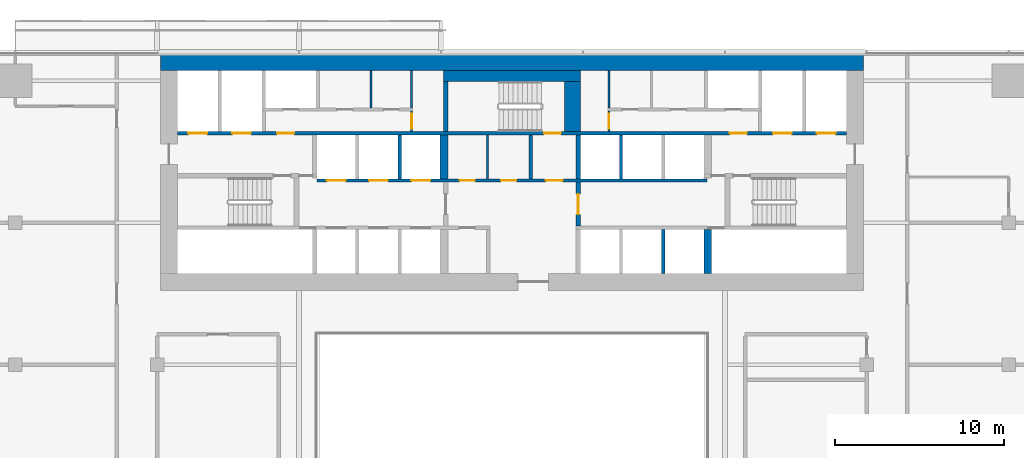
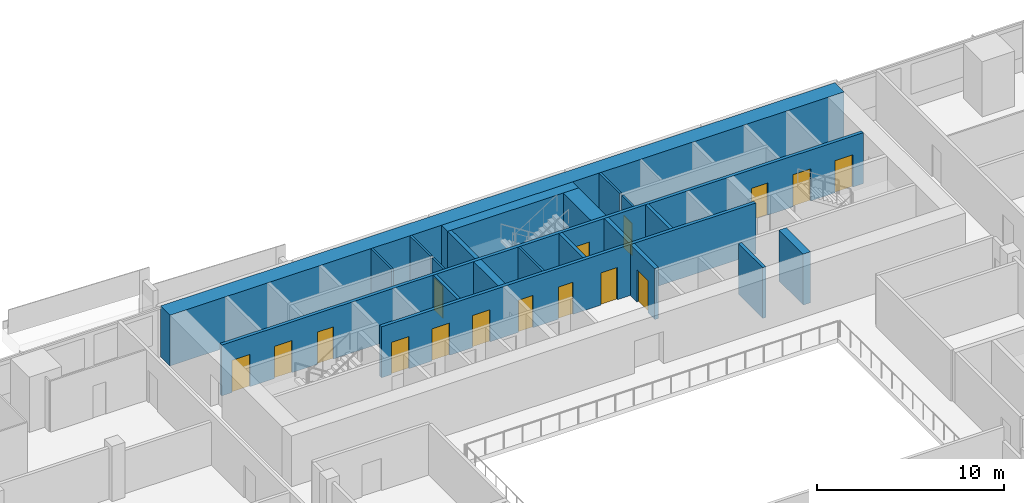
# One storey, part 20 of 26: 20 walls, 16 doors, 16 openings.
"""IFC4 building model written with IfcOpenShell, lengths in metres."""

from ifc_helpers import new_model, si_unit, direction, frame, frame_2d, origin, place, context, subcontext, project, spatial, rectangle, extrude, material, layer, layer_set, type_object, element, fill, save


model = new_model("IFC4")

# Units and contexts
model_context = context("Model", 3, precision=1e-05, world=origin(), true_north=direction((0.0, 1.0)))
body_context = subcontext(model_context, "Body", "Model", "MODEL_VIEW")
ifc_project = project(units=[si_unit("LENGTHUNIT", "METRE"), si_unit("AREAUNIT", "SQUARE_METRE"), si_unit("VOLUMEUNIT", "CUBIC_METRE"), si_unit("PLANEANGLEUNIT", "RADIAN"), si_unit("MASSUNIT", "GRAM", prefix="KILO")], contexts=[model_context])

# Site, building, storey
site_placement = place(None, origin())
site = spatial("IfcSite", under=ifc_project, at=site_placement, CompositionType="ELEMENT")
building_placement = place(site_placement, origin())
building = spatial("IfcBuilding", under=site, at=building_placement, Name="Saffron Gate Tower", CompositionType="ELEMENT")
storey_placement = place(building_placement, frame((0.0, 0.0, 102.449951171875)))
storey = spatial("IfcBuildingStorey", under=building, at=storey_placement, Name="L23", CompositionType="ELEMENT", Elevation=102.449951171875)

# Walls
ifc_material_1 = material(Name="Gypsum board partition on steel studs", Category="steel")
ifc_layer_1 = layer(ifc_material_1, 0.199951171875)
ifc_layer_set_1 = layer_set([ifc_layer_1], Name="CW10 Core partition 200")
wall_type_1 = type_object("IfcWallType", Name="CW10 Core partition 200", PredefinedType="PARTITIONING", material=ifc_layer_set_1)
wall_1_placement = place(storey_placement, frame((88.699951171875, 68.0, 0.0), z_axis=(0.0, 0.0, 1.0), x_axis=(0.0, 1.0, 0.0)))
element("IfcWall", 1, at=wall_1_placement, inside=storey, type_object=wall_type_1, Name="Wall CW10-L23-25", PredefinedType="PARTITIONING", context=body_context, shape_type="SweptSolid", body=[
    extrude(rectangle(XDim=2.60009765625, YDim=0.199951171875, at=frame_2d((1.300048828125, 0.0))), origin(), (0.0, 0.0, 1.0), 3.320068359375),
])
ifc_material_2 = material(Name="Concrete C70", Category="concrete")
ifc_layer_2 = layer(ifc_material_2, 1.0)
ifc_layer_set_2 = layer_set([ifc_layer_2], Name="CW12 RC core wall 1000 C70")
wall_type_2 = type_object("IfcWallType", Name="CW12 RC core wall 1000 C70", PredefinedType="SOLIDWALL", material=ifc_layer_set_2)
wall_2_placement = place(storey_placement, frame((66.800048828125, 74.89990234375, 0.0), z_axis=(0.0, 0.0, 1.0), x_axis=(1.0, 0.0, 0.0)))
element("IfcWall", 2, at=wall_2_placement, inside=storey, type_object=wall_type_2, Name="Wall CW12-L23-2", PredefinedType="SOLIDWALL", context=body_context, shape_type="SweptSolid", body=[
    extrude(rectangle(XDim=41.599853515625, YDim=1.0, at=frame_2d((20.7998046875, 0.0))), origin(), (0.0, 0.0, 1.0), 3.320068359375),
])

# Wall, opening, door
ifc_layer_3 = layer(ifc_material_2, 0.25)
ifc_layer_set_3 = layer_set([ifc_layer_3], Name="CW2 RC core wall 250 C70")
wall_type_3 = type_object("IfcWallType", Name="CW2 RC core wall 250 C70", PredefinedType="SOLIDWALL", material=ifc_layer_set_3)
wall_3_placement = place(storey_placement, frame((91.52490234375, 65.199951171875, 0.0), z_axis=(0.0, 0.0, 1.0), x_axis=(0.0, 1.0, 0.0)))
wall_3 = element("IfcWall", 3, at=wall_3_placement, inside=storey, type_object=wall_type_3, Name="Wall CW2-L23-18", PredefinedType="SOLIDWALL", context=body_context, shape_type="SweptSolid", body=[
    extrude(rectangle(XDim=2.60009765625, YDim=0.25, at=frame_2d((1.300048828125, 0.0))), origin(), (0.0, 0.0, 1.0), 3.320068359375),
])
opening_1_placement = place(wall_3_placement, frame((0.699951171875, 0.0, 0.0)))
opening_1 = element("IfcOpeningElement", 4, at=opening_1_placement, cuts=wall_3, Name="Opening CR-01", PredefinedType="OPENING", context=body_context, shape_type="SweptSolid", body=[
    extrude(rectangle(XDim=1.199951171875, YDim=2.10009765625, at=frame_2d((0.60009765625, 1.050048828125))), frame((0.0, 0.135009765625, 0.0), z_axis=(0.0, -1.0, 0.0), x_axis=(1.0, 0.0, 0.0)), (0.0, 0.0, 1.0), 0.27001953125),
])
ifc_material_3 = material(Name="Steel fire door set", Category="steel")
door_type_1 = type_object("IfcDoorType", Name="CD3 Lobby door 1200x2100 EI 120", OperationType="NOTDEFINED", PredefinedType="DOOR", material=ifc_material_3)
door_1_placement = place(opening_1_placement, origin())
door_1 = element("IfcDoor", 5, at=door_1_placement, inside=storey, type_object=door_type_1, Name="DOOR CR-01", OperationType="SINGLE_SWING_RIGHT", OverallHeight=2.10009765625, OverallWidth=1.199951171875, PredefinedType="DOOR", context=body_context, shape_type="SweptSolid", body=[
    extrude(rectangle(XDim=1.199951171875, YDim=2.10009765625, at=frame_2d((0.60009765625, 1.050048828125))), frame((0.0, 0.02490234375, 0.0), z_axis=(0.0, -1.0, 0.0), x_axis=(1.0, 0.0, 0.0)), (0.0, 0.0, 1.0), 0.050048828125),
])
fill(opening_1, door_1)

# Walls
wall_4_placement = place(storey_placement, frame((91.52490234375, 68.0, 0.0), z_axis=(0.0, 0.0, 1.0), x_axis=(0.0, 1.0, 0.0)))
element("IfcWall", 6, at=wall_4_placement, inside=storey, type_object=wall_type_3, Name="Wall CW2-L23-26", PredefinedType="SOLIDWALL", context=body_context, shape_type="SweptSolid", body=[
    extrude(rectangle(XDim=2.60009765625, YDim=0.25, at=frame_2d((1.300048828125, 0.0))), origin(), (0.0, 0.0, 1.0), 3.320068359375),
])
wall_5_placement = place(storey_placement, frame((83.675048828125, 70.800048828125, 0.0), z_axis=(0.0, 0.0, 1.0), x_axis=(0.0, 1.0, 0.0)))
element("IfcWall", 7, at=wall_5_placement, inside=storey, type_object=wall_type_3, Name="Wall CW2-L23-38", PredefinedType="SOLIDWALL", context=body_context, shape_type="SweptSolid", body=[
    extrude(rectangle(XDim=2.949951171875, YDim=0.25, at=frame_2d((1.47509765625, 0.0))), origin(), (0.0, 0.0, 1.0), 3.320068359375),
])
ifc_layer_4 = layer(ifc_material_2, 0.199951171875)
ifc_layer_set_4 = layer_set([ifc_layer_4], Name="CW3 RC core wall 200 C70")
wall_type_4 = type_object("IfcWallType", Name="CW3 RC core wall 200 C70", PredefinedType="SOLIDWALL", material=ifc_layer_set_4)
wall_6_placement = place(storey_placement, frame((96.550048828125, 62.39990234375, 0.0), z_axis=(0.0, 0.0, 1.0), x_axis=(0.0, 1.0, 0.0)))
element("IfcWall", 8, at=wall_6_placement, inside=storey, type_object=wall_type_4, Name="Wall CW3-L23-12", PredefinedType="SOLIDWALL", context=body_context, shape_type="SweptSolid", body=[
    extrude(rectangle(XDim=2.60009765625, YDim=0.199951171875, at=frame_2d((1.300048828125, 0.0))), origin(), (0.0, 0.0, 1.0), 3.320068359375),
])

# Wall, openings, doors
wall_7_placement = place(storey_placement, frame((76.050048828125, 67.89990234375, 0.0), z_axis=(0.0, 0.0, 1.0), x_axis=(1.0, 0.0, 0.0)))
wall_7 = element("IfcWall", 9, at=wall_7_placement, inside=storey, type_object=wall_type_4, Name="Wall CW3-L23-20", PredefinedType="SOLIDWALL", context=body_context, shape_type="SweptSolid", body=[
    extrude(rectangle(XDim=23.099853515625, YDim=0.199951171875, at=frame_2d((11.5498046875, 0.0))), origin(), (0.0, 0.0, 1.0), 3.320068359375),
])
opening_2_placement = place(wall_7_placement, frame((0.60009765625, 0.0, 0.0)))
opening_2 = element("IfcOpeningElement", 10, at=opening_2_placement, cuts=wall_7, Name="Opening LD-LR4", PredefinedType="OPENING", context=body_context, shape_type="SweptSolid", body=[
    extrude(rectangle(XDim=1.10009765625, YDim=2.10009765625, at=frame_2d((0.550048828125, 1.050048828125))), frame((0.0, 0.10986328125, 0.0), z_axis=(0.0, -1.0, 0.0), x_axis=(1.0, 0.0, 0.0)), (0.0, 0.0, 1.0), 0.219970703125),
])
opening_3_placement = place(wall_7_placement, frame((3.10009765625, 0.0, 0.0)))
opening_3 = element("IfcOpeningElement", 11, at=opening_3_placement, cuts=wall_7, Name="Opening LD-LR5", PredefinedType="OPENING", context=body_context, shape_type="SweptSolid", body=[
    extrude(rectangle(XDim=1.10009765625, YDim=2.10009765625, at=frame_2d((0.550048828125, 1.050048828125))), frame((0.0, 0.10986328125, 0.0), z_axis=(0.0, -1.0, 0.0), x_axis=(1.0, 0.0, 0.0)), (0.0, 0.0, 1.0), 0.219970703125),
])
opening_4_placement = place(wall_7_placement, frame((5.60009765625, 0.0, 0.0)))
opening_4 = element("IfcOpeningElement", 12, at=opening_4_placement, cuts=wall_7, Name="Opening LD-LR6", PredefinedType="OPENING", context=body_context, shape_type="SweptSolid", body=[
    extrude(rectangle(XDim=1.10009765625, YDim=2.10009765625, at=frame_2d((0.550048828125, 1.050048828125))), frame((0.0, 0.10986328125, 0.0), z_axis=(0.0, -1.0, 0.0), x_axis=(1.0, 0.0, 0.0)), (0.0, 0.0, 1.0), 0.219970703125),
])
opening_5_placement = place(wall_7_placement, frame((8.449951171875, 0.0, 0.0)))
opening_5 = element("IfcOpeningElement", 13, at=opening_5_placement, cuts=wall_7, Name="Opening CR-67", PredefinedType="OPENING", context=body_context, shape_type="SweptSolid", body=[
    extrude(rectangle(XDim=0.89990234375, YDim=2.10009765625, at=frame_2d((0.449951171875, 1.050048828125))), frame((0.0, 0.10986328125, 0.0), z_axis=(0.0, -1.0, 0.0), x_axis=(1.0, 0.0, 0.0)), (0.0, 0.0, 1.0), 0.219970703125),
])
opening_6_placement = place(wall_7_placement, frame((10.909912109375, 0.0, 0.0)))
opening_6 = element("IfcOpeningElement", 14, at=opening_6_placement, cuts=wall_7, Name="Opening CR-68", PredefinedType="OPENING", context=body_context, shape_type="SweptSolid", body=[
    extrude(rectangle(XDim=0.89990234375, YDim=2.10009765625, at=frame_2d((0.449951171875, 1.050048828125))), frame((0.0, 0.10986328125, 0.0), z_axis=(0.0, -1.0, 0.0), x_axis=(1.0, 0.0, 0.0)), (0.0, 0.0, 1.0), 0.219970703125),
])
opening_7_placement = place(wall_7_placement, frame((13.550048828125, 0.0, 0.0)))
opening_7 = element("IfcOpeningElement", 15, at=opening_7_placement, cuts=wall_7, Name="Opening CR-02", PredefinedType="OPENING", context=body_context, shape_type="SweptSolid", body=[
    extrude(rectangle(XDim=1.0, YDim=2.10009765625, at=frame_2d((0.5, 1.050048828125))), frame((0.0, 0.10986328125, 0.0), z_axis=(0.0, -1.0, 0.0), x_axis=(1.0, 0.0, 0.0)), (0.0, 0.0, 1.0), 0.219970703125),
])
door_type_2 = type_object("IfcDoorType", Name="CD4 Lobby door 1000x2100 EI 120", OperationType="NOTDEFINED", PredefinedType="DOOR", material=ifc_material_3)
door_2_placement = place(opening_7_placement, origin())
door_2 = element("IfcDoor", 16, at=door_2_placement, inside=storey, type_object=door_type_2, Name="DOOR CR-02", OperationType="SINGLE_SWING_LEFT", OverallHeight=2.10009765625, OverallWidth=1.0, PredefinedType="DOOR", context=body_context, shape_type="SweptSolid", body=[
    extrude(rectangle(XDim=1.0, YDim=2.10009765625, at=frame_2d((0.5, 1.050048828125))), frame((0.0, 0.02490234375, 0.0), z_axis=(0.0, -1.0, 0.0), x_axis=(1.0, 0.0, 0.0)), (0.0, 0.0, 1.0), 0.050048828125),
])
fill(opening_7, door_2)
door_type_3 = type_object("IfcDoorType", Name="CD9 Room door 900x2100 EI 60", OperationType="NOTDEFINED", PredefinedType="DOOR", material=ifc_material_3)
door_3_placement = place(opening_5_placement, origin())
door_3 = element("IfcDoor", 17, at=door_3_placement, inside=storey, type_object=door_type_3, Name="DOOR CR-67", OperationType="SINGLE_SWING_LEFT", OverallHeight=2.10009765625, OverallWidth=0.89990234375, PredefinedType="DOOR", context=body_context, shape_type="SweptSolid", body=[
    extrude(rectangle(XDim=0.89990234375, YDim=2.10009765625, at=frame_2d((0.449951171875, 1.050048828125))), frame((0.0, 0.02490234375, 0.0), z_axis=(0.0, -1.0, 0.0), x_axis=(1.0, 0.0, 0.0)), (0.0, 0.0, 1.0), 0.050048828125),
])
fill(opening_5, door_3)
door_4_placement = place(opening_6_placement, origin())
door_4 = element("IfcDoor", 18, at=door_4_placement, inside=storey, type_object=door_type_3, Name="DOOR CR-68", OperationType="SINGLE_SWING_LEFT", OverallHeight=2.10009765625, OverallWidth=0.89990234375, PredefinedType="DOOR", context=body_context, shape_type="SweptSolid", body=[
    extrude(rectangle(XDim=0.89990234375, YDim=2.10009765625, at=frame_2d((0.449951171875, 1.050048828125))), frame((0.0, 0.02490234375, 0.0), z_axis=(0.0, -1.0, 0.0), x_axis=(1.0, 0.0, 0.0)), (0.0, 0.0, 1.0), 0.050048828125),
])
fill(opening_6, door_4)
ifc_material_4 = material(Name="Stainless steel landing door", Category="steel")
door_type_4 = type_object("IfcDoorType", Name="LD Lift landing door 1100x2100 EI 120", OperationType="SLIDING_TO_LEFT", PredefinedType="DOOR", material=ifc_material_4)
door_5_placement = place(opening_2_placement, origin())
door_5 = element("IfcDoor", 19, at=door_5_placement, inside=storey, type_object=door_type_4, Name="LANDING DOOR LD-LR4", OperationType="SLIDING_TO_RIGHT", OverallHeight=2.10009765625, OverallWidth=1.10009765625, PredefinedType="DOOR", context=body_context, shape_type="SweptSolid", body=[
    extrude(rectangle(XDim=1.10009765625, YDim=2.10009765625, at=frame_2d((0.550048828125, 1.050048828125))), frame((0.0, 0.02490234375, 0.0), z_axis=(0.0, -1.0, 0.0), x_axis=(1.0, 0.0, 0.0)), (0.0, 0.0, 1.0), 0.050048828125),
])
fill(opening_2, door_5)
door_6_placement = place(opening_3_placement, origin())
door_6 = element("IfcDoor", 20, at=door_6_placement, inside=storey, type_object=door_type_4, Name="LANDING DOOR LD-LR5", OperationType="SLIDING_TO_RIGHT", OverallHeight=2.10009765625, OverallWidth=1.10009765625, PredefinedType="DOOR", context=body_context, shape_type="SweptSolid", body=[
    extrude(rectangle(XDim=1.10009765625, YDim=2.10009765625, at=frame_2d((0.550048828125, 1.050048828125))), frame((0.0, 0.02490234375, 0.0), z_axis=(0.0, -1.0, 0.0), x_axis=(1.0, 0.0, 0.0)), (0.0, 0.0, 1.0), 0.050048828125),
])
fill(opening_3, door_6)
door_7_placement = place(opening_4_placement, origin())
door_7 = element("IfcDoor", 21, at=door_7_placement, inside=storey, type_object=door_type_4, Name="LANDING DOOR LD-LR6", OperationType="SLIDING_TO_RIGHT", OverallHeight=2.10009765625, OverallWidth=1.10009765625, PredefinedType="DOOR", context=body_context, shape_type="SweptSolid", body=[
    extrude(rectangle(XDim=1.10009765625, YDim=2.10009765625, at=frame_2d((0.550048828125, 1.050048828125))), frame((0.0, 0.02490234375, 0.0), z_axis=(0.0, -1.0, 0.0), x_axis=(1.0, 0.0, 0.0)), (0.0, 0.0, 1.0), 0.050048828125),
])
fill(opening_4, door_7)

# Walls
for number, where, z_axis, x_axis, name in (
    (22, (80.949951171875, 68.0, 0.0), (0.0, 0.0, 1.0), (0.0, 1.0, 0.0), "Wall CW3-L23-22"),
    (23, (94.050048828125, 68.0, 0.0), (0.0, 0.0, 1.0), (0.0, 1.0, 0.0), "Wall CW3-L23-27"),
):
    element("IfcWall", number, at=place(storey_placement, frame(where, z_axis=z_axis, x_axis=x_axis)), inside=storey, type_object=wall_type_4, Name=name, PredefinedType="SOLIDWALL", context=body_context, shape_type="SweptSolid", body=[
        extrude(rectangle(XDim=2.60009765625, YDim=0.199951171875, at=frame_2d((1.300048828125, 0.0))), origin(), (0.0, 0.0, 1.0), 3.320068359375),
    ])

# Wall, openings, doors
wall_8_placement = place(storey_placement, frame((67.800048828125, 70.699951171875, 0.0), z_axis=(0.0, 0.0, 1.0), x_axis=(1.0, 0.0, 0.0)))
wall_8 = element("IfcWall", 24, at=wall_8_placement, inside=storey, type_object=wall_type_4, Name="Wall CW3-L23-34", PredefinedType="SOLIDWALL", context=body_context, shape_type="SweptSolid", body=[
    extrude(rectangle(XDim=39.599853515625, YDim=0.199951171875, at=frame_2d((19.7998046875, 0.0))), origin(), (0.0, 0.0, 1.0), 3.320068359375),
])
opening_8_placement = place(wall_8_placement, frame((0.64990234375, 0.0, 0.0)))
opening_8 = element("IfcOpeningElement", 25, at=opening_8_placement, cuts=wall_8, Name="Opening LD-FF1", PredefinedType="OPENING", context=body_context, shape_type="SweptSolid", body=[
    extrude(rectangle(XDim=1.10009765625, YDim=2.10009765625, at=frame_2d((0.550048828125, 1.050048828125))), frame((0.0, 0.10986328125, 0.0), z_axis=(0.0, -1.0, 0.0), x_axis=(1.0, 0.0, 0.0)), (0.0, 0.0, 1.0), 0.219970703125),
])
opening_9_placement = place(wall_8_placement, frame((3.25, 0.0, 0.0)))
opening_9 = element("IfcOpeningElement", 26, at=opening_9_placement, cuts=wall_8, Name="Opening LD-SV1", PredefinedType="OPENING", context=body_context, shape_type="SweptSolid", body=[
    extrude(rectangle(XDim=1.10009765625, YDim=2.10009765625, at=frame_2d((0.550048828125, 1.050048828125))), frame((0.0, 0.10986328125, 0.0), z_axis=(0.0, -1.0, 0.0), x_axis=(1.0, 0.0, 0.0)), (0.0, 0.0, 1.0), 0.219970703125),
])
opening_10_placement = place(wall_8_placement, frame((5.89990234375, 0.0, 0.0)))
opening_10 = element("IfcOpeningElement", 27, at=opening_10_placement, cuts=wall_8, Name="Opening CR-03", PredefinedType="OPENING", context=body_context, shape_type="SweptSolid", body=[
    extrude(rectangle(XDim=1.0, YDim=2.10009765625, at=frame_2d((0.5, 1.050048828125))), frame((0.0, 0.10986328125, 0.0), z_axis=(0.0, -1.0, 0.0), x_axis=(1.0, 0.0, 0.0)), (0.0, 0.0, 1.0), 0.219970703125),
])
opening_11_placement = place(wall_8_placement, frame((21.699951171875, 0.0, 0.0)))
opening_11 = element("IfcOpeningElement", 28, at=opening_11_placement, cuts=wall_8, Name="Opening CR-17", PredefinedType="OPENING", context=body_context, shape_type="SweptSolid", body=[
    extrude(rectangle(XDim=1.0, YDim=2.10009765625, at=frame_2d((0.5, 1.050048828125))), frame((0.0, 0.10986328125, 0.0), z_axis=(0.0, -1.0, 0.0), x_axis=(1.0, 0.0, 0.0)), (0.0, 0.0, 1.0), 0.219970703125),
])
opening_12_placement = place(wall_8_placement, frame((32.699951171875, 0.0, 0.0)))
opening_12 = element("IfcOpeningElement", 29, at=opening_12_placement, cuts=wall_8, Name="Opening CR-04", PredefinedType="OPENING", context=body_context, shape_type="SweptSolid", body=[
    extrude(rectangle(XDim=1.0, YDim=2.10009765625, at=frame_2d((0.5, 1.050048828125))), frame((0.0, 0.10986328125, 0.0), z_axis=(0.0, -1.0, 0.0), x_axis=(1.0, 0.0, 0.0)), (0.0, 0.0, 1.0), 0.219970703125),
])
opening_13_placement = place(wall_8_placement, frame((35.25, 0.0, 0.0)))
opening_13 = element("IfcOpeningElement", 30, at=opening_13_placement, cuts=wall_8, Name="Opening LD-SV2", PredefinedType="OPENING", context=body_context, shape_type="SweptSolid", body=[
    extrude(rectangle(XDim=1.10009765625, YDim=2.10009765625, at=frame_2d((0.550048828125, 1.050048828125))), frame((0.0, 0.10986328125, 0.0), z_axis=(0.0, -1.0, 0.0), x_axis=(1.0, 0.0, 0.0)), (0.0, 0.0, 1.0), 0.219970703125),
])
opening_14_placement = place(wall_8_placement, frame((37.85009765625, 0.0, 0.0)))
opening_14 = element("IfcOpeningElement", 31, at=opening_14_placement, cuts=wall_8, Name="Opening LD-FF2", PredefinedType="OPENING", context=body_context, shape_type="SweptSolid", body=[
    extrude(rectangle(XDim=1.10009765625, YDim=2.10009765625, at=frame_2d((0.550048828125, 1.050048828125))), frame((0.0, 0.10986328125, 0.0), z_axis=(0.0, -1.0, 0.0), x_axis=(1.0, 0.0, 0.0)), (0.0, 0.0, 1.0), 0.219970703125),
])
door_8_placement = place(opening_10_placement, origin())
door_8 = element("IfcDoor", 32, at=door_8_placement, inside=storey, type_object=door_type_2, Name="DOOR CR-03", OperationType="SINGLE_SWING_LEFT", OverallHeight=2.10009765625, OverallWidth=1.0, PredefinedType="DOOR", context=body_context, shape_type="SweptSolid", body=[
    extrude(rectangle(XDim=1.0, YDim=2.10009765625, at=frame_2d((0.5, 1.050048828125))), frame((0.0, 0.02490234375, 0.0), z_axis=(0.0, -1.0, 0.0), x_axis=(1.0, 0.0, 0.0)), (0.0, 0.0, 1.0), 0.050048828125),
])
fill(opening_10, door_8)
door_9_placement = place(opening_12_placement, origin())
door_9 = element("IfcDoor", 33, at=door_9_placement, inside=storey, type_object=door_type_2, Name="DOOR CR-04", OperationType="SINGLE_SWING_RIGHT", OverallHeight=2.10009765625, OverallWidth=1.0, PredefinedType="DOOR", context=body_context, shape_type="SweptSolid", body=[
    extrude(rectangle(XDim=1.0, YDim=2.10009765625, at=frame_2d((0.5, 1.050048828125))), frame((0.0, 0.02490234375, 0.0), z_axis=(0.0, -1.0, 0.0), x_axis=(1.0, 0.0, 0.0)), (0.0, 0.0, 1.0), 0.050048828125),
])
fill(opening_12, door_9)
door_type_5 = type_object("IfcDoorType", Name="CD5 Stair door 1000x2100 EI 120", OperationType="NOTDEFINED", PredefinedType="DOOR", material=ifc_material_3)
door_10_placement = place(opening_11_placement, origin())
door_10 = element("IfcDoor", 34, at=door_10_placement, inside=storey, type_object=door_type_5, Name="DOOR CR-17", OperationType="SINGLE_SWING_RIGHT", OverallHeight=2.10009765625, OverallWidth=1.0, PredefinedType="DOOR", context=body_context, shape_type="SweptSolid", body=[
    extrude(rectangle(XDim=1.0, YDim=2.10009765625, at=frame_2d((0.5, 1.050048828125))), frame((0.0, 0.02490234375, 0.0), z_axis=(0.0, -1.0, 0.0), x_axis=(1.0, 0.0, 0.0)), (0.0, 0.0, 1.0), 0.050048828125),
])
fill(opening_11, door_10)
door_11_placement = place(opening_8_placement, origin())
door_11 = element("IfcDoor", 35, at=door_11_placement, inside=storey, type_object=door_type_4, Name="LANDING DOOR LD-FF1", OperationType="SLIDING_TO_RIGHT", OverallHeight=2.10009765625, OverallWidth=1.10009765625, PredefinedType="DOOR", context=body_context, shape_type="SweptSolid", body=[
    extrude(rectangle(XDim=1.10009765625, YDim=2.10009765625, at=frame_2d((0.550048828125, 1.050048828125))), frame((0.0, 0.02490234375, 0.0), z_axis=(0.0, -1.0, 0.0), x_axis=(1.0, 0.0, 0.0)), (0.0, 0.0, 1.0), 0.050048828125),
])
fill(opening_8, door_11)
door_12_placement = place(opening_9_placement, origin())
door_12 = element("IfcDoor", 36, at=door_12_placement, inside=storey, type_object=door_type_4, Name="LANDING DOOR LD-SV1", OperationType="SLIDING_TO_RIGHT", OverallHeight=2.10009765625, OverallWidth=1.10009765625, PredefinedType="DOOR", context=body_context, shape_type="SweptSolid", body=[
    extrude(rectangle(XDim=1.10009765625, YDim=2.10009765625, at=frame_2d((0.550048828125, 1.050048828125))), frame((0.0, 0.02490234375, 0.0), z_axis=(0.0, -1.0, 0.0), x_axis=(1.0, 0.0, 0.0)), (0.0, 0.0, 1.0), 0.050048828125),
])
fill(opening_9, door_12)
door_13_placement = place(opening_13_placement, origin())
door_13 = element("IfcDoor", 37, at=door_13_placement, inside=storey, type_object=door_type_4, Name="LANDING DOOR LD-SV2", OperationType="SLIDING_TO_RIGHT", OverallHeight=2.10009765625, OverallWidth=1.10009765625, PredefinedType="DOOR", context=body_context, shape_type="SweptSolid", body=[
    extrude(rectangle(XDim=1.10009765625, YDim=2.10009765625, at=frame_2d((0.550048828125, 1.050048828125))), frame((0.0, 0.02490234375, 0.0), z_axis=(0.0, -1.0, 0.0), x_axis=(1.0, 0.0, 0.0)), (0.0, 0.0, 1.0), 0.050048828125),
])
fill(opening_13, door_13)
door_14_placement = place(opening_14_placement, origin())
door_14 = element("IfcDoor", 38, at=door_14_placement, inside=storey, type_object=door_type_4, Name="LANDING DOOR LD-FF2", OperationType="SLIDING_TO_RIGHT", OverallHeight=2.10009765625, OverallWidth=1.10009765625, PredefinedType="DOOR", context=body_context, shape_type="SweptSolid", body=[
    extrude(rectangle(XDim=1.10009765625, YDim=2.10009765625, at=frame_2d((0.550048828125, 1.050048828125))), frame((0.0, 0.02490234375, 0.0), z_axis=(0.0, -1.0, 0.0), x_axis=(1.0, 0.0, 0.0)), (0.0, 0.0, 1.0), 0.050048828125),
])
fill(opening_14, door_14)

# Walls
ifc_layer_5 = layer(ifc_material_2, 0.449951171875)
ifc_layer_set_5 = layer_set([ifc_layer_5], Name="CW4 RC core wall 450 C70")
wall_type_5 = type_object("IfcWallType", Name="CW4 RC core wall 450 C70", PredefinedType="SOLIDWALL", material=ifc_layer_set_5)
for number, where, z_axis, x_axis, name in (
    (39, (99.175048828125, 62.39990234375, 0.0), (0.0, 0.0, 1.0), (0.0, 1.0, 0.0), "Wall CW4-L23-13"),
    (40, (83.574951171875, 68.0, 0.0), (0.0, 0.0, 1.0), (0.0, 1.0, 0.0), "Wall CW4-L23-23"),
):
    element("IfcWall", number, at=place(storey_placement, frame(where, z_axis=z_axis, x_axis=x_axis)), inside=storey, type_object=wall_type_5, Name=name, PredefinedType="SOLIDWALL", context=body_context, shape_type="SweptSolid", body=[
        extrude(rectangle(XDim=2.60009765625, YDim=0.449951171875, at=frame_2d((1.300048828125, 0.0))), origin(), (0.0, 0.0, 1.0), 3.320068359375),
    ])
ifc_layer_6 = layer(ifc_material_2, 0.949951171875)
ifc_layer_set_6 = layer_set([ifc_layer_6], Name="CW7 RC core wall 950 C70")
wall_type_6 = type_object("IfcWallType", Name="CW7 RC core wall 950 C70", PredefinedType="SOLIDWALL", material=ifc_layer_set_6)
wall_9_placement = place(storey_placement, frame((91.175048828125, 70.800048828125, 0.0), z_axis=(0.0, 0.0, 1.0), x_axis=(0.0, 1.0, 0.0)))
element("IfcWall", 41, at=wall_9_placement, inside=storey, type_object=wall_type_6, Name="Wall CW7-L23-39", PredefinedType="SOLIDWALL", context=body_context, shape_type="SweptSolid", body=[
    extrude(rectangle(XDim=2.949951171875, YDim=0.949951171875, at=frame_2d((1.47509765625, 0.0))), origin(), (0.0, 0.0, 1.0), 3.320068359375),
])
ifc_layer_7 = layer(ifc_material_1, 0.1201171875)
ifc_layer_set_7 = layer_set([ifc_layer_7], Name="CW8 Core partition 120")
wall_type_7 = type_object("IfcWallType", Name="CW8 Core partition 120", PredefinedType="PARTITIONING", material=ifc_layer_set_7)
wall_10_placement = place(storey_placement, frame((86.159912109375, 68.0, 0.0), z_axis=(0.0, 0.0, 1.0), x_axis=(0.0, 1.0, 0.0)))
element("IfcWall", 42, at=wall_10_placement, inside=storey, type_object=wall_type_7, Name="Wall CW8-L23-24", PredefinedType="PARTITIONING", context=body_context, shape_type="SweptSolid", body=[
    extrude(rectangle(XDim=2.60009765625, YDim=0.1201171875, at=frame_2d((1.300048828125, 0.0))), origin(), (0.0, 0.0, 1.0), 3.320068359375),
])

# Wall, opening, door
wall_11_placement = place(storey_placement, frame((81.659912109375, 70.800048828125, 0.0), z_axis=(0.0, 0.0, 1.0), x_axis=(0.0, 1.0, 0.0)))
wall_11 = element("IfcWall", 43, at=wall_11_placement, inside=storey, type_object=wall_type_7, Name="Wall CW8-L23-37", PredefinedType="PARTITIONING", context=body_context, shape_type="SweptSolid", body=[
    extrude(rectangle(XDim=1.199951171875, YDim=0.1201171875, at=frame_2d((0.60009765625, 0.0))), origin(), (0.0, 0.0, 1.0), 3.320068359375),
])
opening_15_placement = place(wall_11_placement, frame((0.14990234375, 0.0, 0.0)))
opening_15 = element("IfcOpeningElement", 44, at=opening_15_placement, cuts=wall_11, Name="Opening CR-60", PredefinedType="OPENING", context=body_context, shape_type="SweptSolid", body=[
    extrude(rectangle(XDim=0.89990234375, YDim=2.10009765625, at=frame_2d((0.449951171875, 1.050048828125))), frame((0.0, 0.070068359375, 0.0), z_axis=(0.0, -1.0, 0.0), x_axis=(1.0, 0.0, 0.0)), (0.0, 0.0, 1.0), 0.14013671875),
])
door_15_placement = place(opening_15_placement, origin())
door_15 = element("IfcDoor", 45, at=door_15_placement, inside=storey, type_object=door_type_3, Name="DOOR CR-60", OperationType="SINGLE_SWING_RIGHT", OverallHeight=2.10009765625, OverallWidth=0.89990234375, PredefinedType="DOOR", context=body_context, shape_type="SweptSolid", body=[
    extrude(rectangle(XDim=0.89990234375, YDim=2.10009765625, at=frame_2d((0.449951171875, 1.050048828125))), frame((0.0, 0.02490234375, 0.0), z_axis=(0.0, -1.0, 0.0), x_axis=(1.0, 0.0, 0.0)), (0.0, 0.0, 1.0), 0.050048828125),
])
fill(opening_15, door_15)

wall_12_placement = place(storey_placement, frame((93.340087890625, 70.800048828125, 0.0), z_axis=(0.0, 0.0, 1.0), x_axis=(0.0, 1.0, 0.0)))
wall_12 = element("IfcWall", 46, at=wall_12_placement, inside=storey, type_object=wall_type_7, Name="Wall CW8-L23-40", PredefinedType="PARTITIONING", context=body_context, shape_type="SweptSolid", body=[
    extrude(rectangle(XDim=1.199951171875, YDim=0.1201171875, at=frame_2d((0.60009765625, 0.0))), origin(), (0.0, 0.0, 1.0), 3.320068359375),
])
opening_16_placement = place(wall_12_placement, frame((0.14990234375, 0.0, 0.0)))
opening_16 = element("IfcOpeningElement", 47, at=opening_16_placement, cuts=wall_12, Name="Opening CR-54", PredefinedType="OPENING", context=body_context, shape_type="SweptSolid", body=[
    extrude(rectangle(XDim=0.89990234375, YDim=2.10009765625, at=frame_2d((0.449951171875, 1.050048828125))), frame((0.0, 0.070068359375, 0.0), z_axis=(0.0, -1.0, 0.0), x_axis=(1.0, 0.0, 0.0)), (0.0, 0.0, 1.0), 0.14013671875),
])
door_16_placement = place(opening_16_placement, origin())
door_16 = element("IfcDoor", 48, at=door_16_placement, inside=storey, type_object=door_type_3, Name="DOOR CR-54", OperationType="SINGLE_SWING_LEFT", OverallHeight=2.10009765625, OverallWidth=0.89990234375, PredefinedType="DOOR", context=body_context, shape_type="SweptSolid", body=[
    extrude(rectangle(XDim=0.89990234375, YDim=2.10009765625, at=frame_2d((0.449951171875, 1.050048828125))), frame((0.0, 0.02490234375, 0.0), z_axis=(0.0, -1.0, 0.0), x_axis=(1.0, 0.0, 0.0)), (0.0, 0.0, 1.0), 0.050048828125),
])
fill(opening_16, door_16)

# Walls
for number, where, z_axis, x_axis, name in (
    (49, (79.260009765625, 72.199951171875, 0.0), (0.0, 0.0, 1.0), (0.0, 1.0, 0.0), "Wall CW8-L23-47"),
    (50, (81.659912109375, 72.199951171875, 0.0), (0.0, 0.0, 1.0), (0.0, 1.0, 0.0), "Wall CW8-L23-48"),
    (51, (93.340087890625, 72.199951171875, 0.0), (0.0, 0.0, 1.0), (0.0, 1.0, 0.0), "Wall CW8-L23-49"),
):
    element("IfcWall", number, at=place(storey_placement, frame(where, z_axis=z_axis, x_axis=x_axis)), inside=storey, type_object=wall_type_7, Name=name, PredefinedType="PARTITIONING", context=body_context, shape_type="SweptSolid", body=[
        extrude(rectangle(XDim=2.199951171875, YDim=0.1201171875, at=frame_2d((1.10009765625, 0.0))), origin(), (0.0, 0.0, 1.0), 3.320068359375),
    ])
ifc_layer_8 = layer(ifc_material_2, 0.64990234375)
ifc_layer_set_8 = layer_set([ifc_layer_8], Name="CW9 RC core wall 650 C70")
wall_type_8 = type_object("IfcWallType", Name="CW9 RC core wall 650 C70", PredefinedType="SOLIDWALL", material=ifc_layer_set_8)
wall_13_placement = place(storey_placement, frame((83.550048828125, 74.074951171875, 0.0), z_axis=(0.0, 0.0, 1.0), x_axis=(1.0, 0.0, 0.0)))
element("IfcWall", 52, at=wall_13_placement, inside=storey, type_object=wall_type_8, Name="Wall CW9-L23-53", PredefinedType="SOLIDWALL", context=body_context, shape_type="SweptSolid", body=[
    extrude(rectangle(XDim=8.099853515625, YDim=0.64990234375, at=frame_2d((4.0498046875, 0.0))), origin(), (0.0, 0.0, 1.0), 3.320068359375),
])

save(model, "model.ifc")
